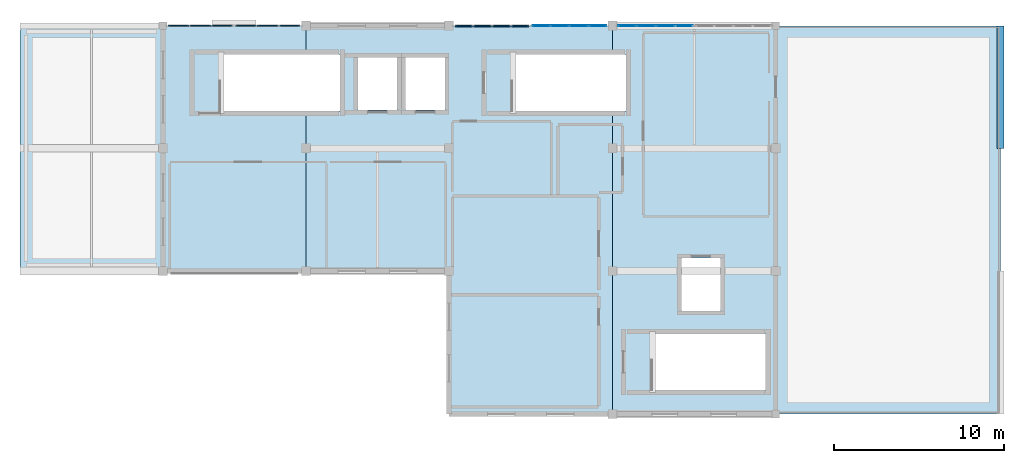
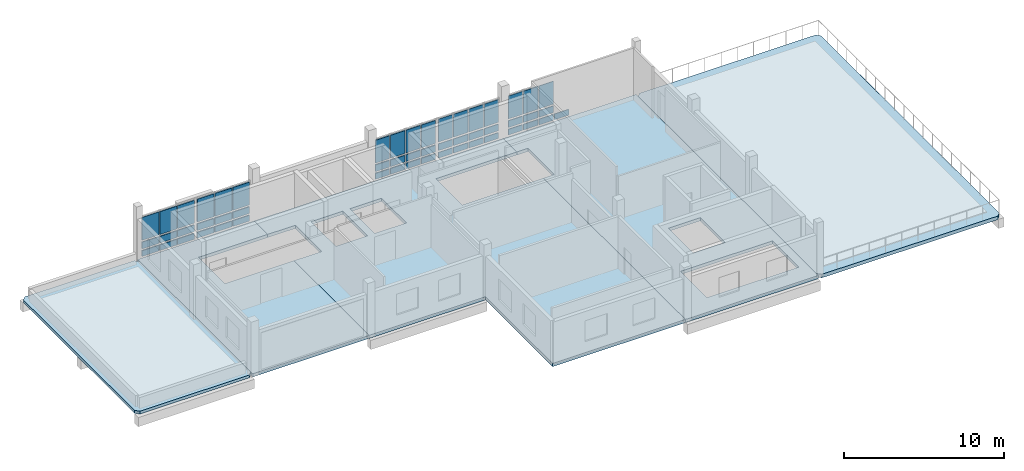
# One storey, part 7 of 11: 52 plates, 5 slabs, 1 beam, 5 elements without a shape of their own.
"""IFC4 building model written with IfcOpenShell, lengths in metres."""

from ifc_helpers import new_model, si_unit, direction, frame, origin, origin_2d, place, context, subcontext, project, spatial, polyline, rectangle, outline, extrude, material, layer, layer_set, material_profile, profile_set, type_object, element, aggregate, save


model = new_model("IFC4")

# Units and contexts
model_context = context("Model", 3, precision=1e-05, world=origin(), true_north=direction((0.0, 1.0)))
body_context = subcontext(model_context, "Body", "Model", "MODEL_VIEW")
ifc_project = project(units=[si_unit("LENGTHUNIT", "METRE"), si_unit("AREAUNIT", "SQUARE_METRE"), si_unit("VOLUMEUNIT", "CUBIC_METRE"), si_unit("PLANEANGLEUNIT", "RADIAN"), si_unit("MASSUNIT", "GRAM", prefix="KILO")], contexts=[model_context])

# Site, building, storey
site_placement = place(None, origin())
site = spatial("IfcSite", under=ifc_project, at=site_placement, CompositionType="ELEMENT")
building_placement = place(site_placement, origin())
building = spatial("IfcBuilding", under=site, at=building_placement, Name="Kisaragi Civic Commons", CompositionType="ELEMENT")
storey_placement = place(building_placement, frame((0.0, 0.0, 17.39990234375)))
storey = spatial("IfcBuildingStorey", under=building, at=storey_placement, Name="L04", CompositionType="ELEMENT", Elevation=17.39990234375)

# Beam
ifc_material_1 = material(Name="Concrete Fc30", Category="concrete")
ifc_material_profile = material_profile(ifc_material_1, rectangle(XDim=0.39990234375, YDim=0.699951171875, at=origin_2d()), Name="RC-400x700", Category="concrete")
ifc_profile_set = profile_set([ifc_material_profile], Name="Concrete Fc30")
beam_type = type_object("IfcBeamType", Name="G-16", PredefinedType="BEAM", material=ifc_profile_set)
beam_placement = place(storey_placement, frame((146.39990234375, 111.60009765625, -0.619873046875), z_axis=(0.0, 1.0, 0.0), x_axis=(-1.0, 0.0, 0.0)))
element("IfcBeam", 1, at=beam_placement, inside=storey, type_object=beam_type, Name="L04 girder G-16 347", PredefinedType="BEAM", context=body_context, shape_type="SweptSolid", body=[
    extrude(rectangle(XDim=0.39990234375, YDim=0.699951171875, at=origin_2d()), origin(), (0.0, 0.0, 1.0), 7.199951171875),
])

# Curtain wall, plates
ifc_material_2 = material(Name="Thermally broken anodized aluminium and low-E double glazing", Category="aluminium")
ifc_layer_1 = layer(ifc_material_2, 0.179931640625, Name="Thermally broken anodized aluminium and low-E double glazing", Category="aluminium")
ifc_layer_set_1 = layer_set([ifc_layer_1], Name="Thermally broken anodized aluminium and low-E double glazing")
curtain_wall_type = type_object("IfcCurtainWallType", Name="CW-01", PredefinedType="NOTDEFINED", material=ifc_layer_set_1)
curtain_wall_1_placement = place(storey_placement, origin())
curtain_wall_1 = element("IfcCurtainWall", 2, at=curtain_wall_1_placement, inside=storey, type_object=curtain_wall_type, Name="L04 curtain wall CW-01 CW-V4-L04-111", PredefinedType="NOTDEFINED")
ifc_layer_2 = layer(ifc_material_2, 0.073974609375, Name="Thermally broken anodized aluminium and low-E double glazing", Category="aluminium")
ifc_layer_set_2 = layer_set([ifc_layer_2], Name="Thermally broken anodized aluminium and low-E double glazing")
plate_type_1 = type_object("IfcPlateType", Name="CWP-09", PredefinedType="CURTAIN_PANEL", material=ifc_layer_set_2)
plate_1_placement = place(storey_placement, frame((98.10546875, 118.800048828125, 0.14013671875), z_axis=(0.0, 0.0, 1.0), x_axis=(1.0, 0.0, 0.0)))
plate_1 = element("IfcPlate", 3, at=plate_1_placement, type_object=plate_type_1, Name="CW-01 panel 1.1", PredefinedType="CURTAIN_PANEL", context=body_context, shape_type="SweptSolid", body=[
    extrude(rectangle(XDim=1.200927734375, YDim=0.073974609375, at=origin_2d()), origin(), (0.0, 0.0, 1.0), 0.43994140625),
])
plate_2_placement = place(storey_placement, frame((98.10546875, 118.800048828125, 0.72021484375), z_axis=(0.0, 0.0, 1.0), x_axis=(1.0, 0.0, 0.0)))
plate_2 = element("IfcPlate", 4, at=plate_2_placement, type_object=plate_type_1, Name="CW-01 panel 1.2", PredefinedType="CURTAIN_PANEL", context=body_context, shape_type="SweptSolid", body=[
    extrude(rectangle(XDim=1.200927734375, YDim=0.073974609375, at=origin_2d()), origin(), (0.0, 0.0, 1.0), 0.510009765625),
])
plate_3_placement = place(storey_placement, frame((98.10546875, 118.800048828125, 1.3701171875), z_axis=(0.0, 0.0, 1.0), x_axis=(1.0, 0.0, 0.0)))
plate_3 = element("IfcPlate", 5, at=plate_3_placement, type_object=plate_type_1, Name="CW-01 panel 1.3", PredefinedType="CURTAIN_PANEL", context=body_context, shape_type="SweptSolid", body=[
    extrude(rectangle(XDim=1.200927734375, YDim=0.073974609375, at=origin_2d()), origin(), (0.0, 0.0, 1.0), 1.7451171875),
])
plate_4_placement = place(storey_placement, frame((99.387451171875, 118.800048828125, 0.14013671875), z_axis=(0.0, 0.0, 1.0), x_axis=(1.0, 0.0, 0.0)))
plate_4 = element("IfcPlate", 6, at=plate_4_placement, type_object=plate_type_1, Name="CW-01 panel 2.1", PredefinedType="CURTAIN_PANEL", context=body_context, shape_type="SweptSolid", body=[
    extrude(rectangle(XDim=1.2333984375, YDim=0.073974609375, at=origin_2d()), origin(), (0.0, 0.0, 1.0), 0.43994140625),
])
plate_5_placement = place(storey_placement, frame((99.387451171875, 118.800048828125, 0.72021484375), z_axis=(0.0, 0.0, 1.0), x_axis=(1.0, 0.0, 0.0)))
plate_5 = element("IfcPlate", 7, at=plate_5_placement, type_object=plate_type_1, Name="CW-01 panel 2.2", PredefinedType="CURTAIN_PANEL", context=body_context, shape_type="SweptSolid", body=[
    extrude(rectangle(XDim=1.2333984375, YDim=0.073974609375, at=origin_2d()), origin(), (0.0, 0.0, 1.0), 0.510009765625),
])
plate_6_placement = place(storey_placement, frame((99.387451171875, 118.800048828125, 1.3701171875), z_axis=(0.0, 0.0, 1.0), x_axis=(1.0, 0.0, 0.0)))
plate_6 = element("IfcPlate", 8, at=plate_6_placement, type_object=plate_type_1, Name="CW-01 panel 2.3", PredefinedType="CURTAIN_PANEL", context=body_context, shape_type="SweptSolid", body=[
    extrude(rectangle(XDim=1.2333984375, YDim=0.073974609375, at=origin_2d()), origin(), (0.0, 0.0, 1.0), 1.7451171875),
])
plate_7_placement = place(storey_placement, frame((100.669677734375, 118.800048828125, 0.14013671875), z_axis=(0.0, 0.0, 1.0), x_axis=(1.0, 0.0, 0.0)))
plate_7 = element("IfcPlate", 9, at=plate_7_placement, type_object=plate_type_1, Name="CW-01 panel 3.1", PredefinedType="CURTAIN_PANEL", context=body_context, shape_type="SweptSolid", body=[
    extrude(rectangle(XDim=1.200927734375, YDim=0.073974609375, at=origin_2d()), origin(), (0.0, 0.0, 1.0), 0.43994140625),
])
plate_8_placement = place(storey_placement, frame((100.669677734375, 118.800048828125, 0.72021484375), z_axis=(0.0, 0.0, 1.0), x_axis=(1.0, 0.0, 0.0)))
plate_8 = element("IfcPlate", 10, at=plate_8_placement, type_object=plate_type_1, Name="CW-01 panel 3.2", PredefinedType="CURTAIN_PANEL", context=body_context, shape_type="SweptSolid", body=[
    extrude(rectangle(XDim=1.200927734375, YDim=0.073974609375, at=origin_2d()), origin(), (0.0, 0.0, 1.0), 0.510009765625),
])
plate_9_placement = place(storey_placement, frame((100.669677734375, 118.800048828125, 1.3701171875), z_axis=(0.0, 0.0, 1.0), x_axis=(1.0, 0.0, 0.0)))
plate_9 = element("IfcPlate", 11, at=plate_9_placement, type_object=plate_type_1, Name="CW-01 panel 3.3", PredefinedType="CURTAIN_PANEL", context=body_context, shape_type="SweptSolid", body=[
    extrude(rectangle(XDim=1.200927734375, YDim=0.073974609375, at=origin_2d()), origin(), (0.0, 0.0, 1.0), 1.7451171875),
])
aggregate(curtain_wall_1, [plate_1, plate_2, plate_3, plate_4, plate_5, plate_6, plate_7, plate_8, plate_9])

curtain_wall_2_placement = place(storey_placement, origin())
curtain_wall_2 = element("IfcCurtainWall", 12, at=curtain_wall_2_placement, inside=storey, type_object=curtain_wall_type, Name="L04 curtain wall CW-01 CW-V4-L04-112", PredefinedType="NOTDEFINED")
ifc_layer_3 = layer(ifc_material_2, 0.080078125, Name="Thermally broken anodized aluminium and low-E double glazing", Category="aluminium")
ifc_layer_set_3 = layer_set([ifc_layer_3], Name="Thermally broken anodized aluminium and low-E double glazing")
plate_type_2 = type_object("IfcPlateType", Name="CWP-10", PredefinedType="CURTAIN_PANEL", material=ifc_layer_set_3)
plate_10_placement = place(storey_placement, frame((102.080322265625, 118.800048828125, 0.14013671875), z_axis=(0.0, 0.0, 1.0), x_axis=(1.0, 0.0, 0.0)))
plate_10 = element("IfcPlate", 13, at=plate_10_placement, type_object=plate_type_2, Name="CW-01 panel 1.1", PredefinedType="CURTAIN_PANEL", context=body_context, shape_type="SweptSolid", body=[
    extrude(rectangle(XDim=1.200927734375, YDim=0.080078125, at=origin_2d()), origin(), (0.0, 0.0, 1.0), 0.43994140625),
])
plate_11_placement = place(storey_placement, frame((102.080322265625, 118.800048828125, 0.72021484375), z_axis=(0.0, 0.0, 1.0), x_axis=(1.0, 0.0, 0.0)))
plate_11 = element("IfcPlate", 14, at=plate_11_placement, type_object=plate_type_2, Name="CW-01 panel 1.2", PredefinedType="CURTAIN_PANEL", context=body_context, shape_type="SweptSolid", body=[
    extrude(rectangle(XDim=1.200927734375, YDim=0.080078125, at=origin_2d()), origin(), (0.0, 0.0, 1.0), 0.510009765625),
])
plate_12_placement = place(storey_placement, frame((102.080322265625, 118.800048828125, 1.3701171875), z_axis=(0.0, 0.0, 1.0), x_axis=(1.0, 0.0, 0.0)))
plate_12 = element("IfcPlate", 15, at=plate_12_placement, type_object=plate_type_2, Name="CW-01 panel 1.3", PredefinedType="CURTAIN_PANEL", context=body_context, shape_type="SweptSolid", body=[
    extrude(rectangle(XDim=1.200927734375, YDim=0.080078125, at=origin_2d()), origin(), (0.0, 0.0, 1.0), 1.7451171875),
])
plate_13_placement = place(storey_placement, frame((103.362548828125, 118.800048828125, 0.14013671875), z_axis=(0.0, 0.0, 1.0), x_axis=(1.0, 0.0, 0.0)))
plate_13 = element("IfcPlate", 16, at=plate_13_placement, type_object=plate_type_2, Name="CW-01 panel 2.1", PredefinedType="CURTAIN_PANEL", context=body_context, shape_type="SweptSolid", body=[
    extrude(rectangle(XDim=1.2333984375, YDim=0.080078125, at=origin_2d()), origin(), (0.0, 0.0, 1.0), 0.43994140625),
])
plate_14_placement = place(storey_placement, frame((103.362548828125, 118.800048828125, 0.72021484375), z_axis=(0.0, 0.0, 1.0), x_axis=(1.0, 0.0, 0.0)))
plate_14 = element("IfcPlate", 17, at=plate_14_placement, type_object=plate_type_2, Name="CW-01 panel 2.2", PredefinedType="CURTAIN_PANEL", context=body_context, shape_type="SweptSolid", body=[
    extrude(rectangle(XDim=1.2333984375, YDim=0.080078125, at=origin_2d()), origin(), (0.0, 0.0, 1.0), 0.510009765625),
])
plate_15_placement = place(storey_placement, frame((103.362548828125, 118.800048828125, 1.3701171875), z_axis=(0.0, 0.0, 1.0), x_axis=(1.0, 0.0, 0.0)))
plate_15 = element("IfcPlate", 18, at=plate_15_placement, type_object=plate_type_2, Name="CW-01 panel 2.3", PredefinedType="CURTAIN_PANEL", context=body_context, shape_type="SweptSolid", body=[
    extrude(rectangle(XDim=1.2333984375, YDim=0.080078125, at=origin_2d()), origin(), (0.0, 0.0, 1.0), 1.7451171875),
])
plate_16_placement = place(storey_placement, frame((104.64453125, 118.800048828125, 0.14013671875), z_axis=(0.0, 0.0, 1.0), x_axis=(1.0, 0.0, 0.0)))
plate_16 = element("IfcPlate", 19, at=plate_16_placement, type_object=plate_type_2, Name="CW-01 panel 3.1", PredefinedType="CURTAIN_PANEL", context=body_context, shape_type="SweptSolid", body=[
    extrude(rectangle(XDim=1.200927734375, YDim=0.080078125, at=origin_2d()), origin(), (0.0, 0.0, 1.0), 0.43994140625),
])
plate_17_placement = place(storey_placement, frame((104.64453125, 118.800048828125, 0.72021484375), z_axis=(0.0, 0.0, 1.0), x_axis=(1.0, 0.0, 0.0)))
plate_17 = element("IfcPlate", 20, at=plate_17_placement, type_object=plate_type_2, Name="CW-01 panel 3.2", PredefinedType="CURTAIN_PANEL", context=body_context, shape_type="SweptSolid", body=[
    extrude(rectangle(XDim=1.200927734375, YDim=0.080078125, at=origin_2d()), origin(), (0.0, 0.0, 1.0), 0.510009765625),
])
plate_18_placement = place(storey_placement, frame((104.64453125, 118.800048828125, 1.3701171875), z_axis=(0.0, 0.0, 1.0), x_axis=(1.0, 0.0, 0.0)))
plate_18 = element("IfcPlate", 21, at=plate_18_placement, type_object=plate_type_2, Name="CW-01 panel 3.3", PredefinedType="CURTAIN_PANEL", context=body_context, shape_type="SweptSolid", body=[
    extrude(rectangle(XDim=1.200927734375, YDim=0.080078125, at=origin_2d()), origin(), (0.0, 0.0, 1.0), 1.7451171875),
])
aggregate(curtain_wall_2, [plate_10, plate_11, plate_12, plate_13, plate_14, plate_15, plate_16, plate_17, plate_18])

curtain_wall_3_placement = place(storey_placement, origin())
curtain_wall_3 = element("IfcCurtainWall", 22, at=curtain_wall_3_placement, inside=storey, type_object=curtain_wall_type, Name="L04 curtain wall CW-01 CW-V4-L04-113", PredefinedType="NOTDEFINED")
ifc_layer_4 = layer(ifc_material_2, 0.0859375, Name="Thermally broken anodized aluminium and low-E double glazing", Category="aluminium")
ifc_layer_set_4 = layer_set([ifc_layer_4], Name="Thermally broken anodized aluminium and low-E double glazing")
plate_type_3 = type_object("IfcPlateType", Name="CWP-12", PredefinedType="CURTAIN_PANEL", material=ifc_layer_set_4)
plate_19_placement = place(storey_placement, frame((114.864990234375, 118.800048828125, 0.14013671875), z_axis=(0.0, 0.0, 1.0), x_axis=(1.0, 0.0, 0.0)))
plate_19 = element("IfcPlate", 23, at=plate_19_placement, type_object=plate_type_3, Name="CW-01 panel 1.1", PredefinedType="CURTAIN_PANEL", context=body_context, shape_type="SweptSolid", body=[
    extrude(rectangle(XDim=1.02001953125, YDim=0.0859375, at=origin_2d()), origin(), (0.0, 0.0, 1.0), 0.43994140625),
])
plate_20_placement = place(storey_placement, frame((114.864990234375, 118.800048828125, 0.72021484375), z_axis=(0.0, 0.0, 1.0), x_axis=(1.0, 0.0, 0.0)))
plate_20 = element("IfcPlate", 24, at=plate_20_placement, type_object=plate_type_3, Name="CW-01 panel 1.2", PredefinedType="CURTAIN_PANEL", context=body_context, shape_type="SweptSolid", body=[
    extrude(rectangle(XDim=1.02001953125, YDim=0.0859375, at=origin_2d()), origin(), (0.0, 0.0, 1.0), 0.510009765625),
])
plate_21_placement = place(storey_placement, frame((114.864990234375, 118.800048828125, 1.3701171875), z_axis=(0.0, 0.0, 1.0), x_axis=(1.0, 0.0, 0.0)))
plate_21 = element("IfcPlate", 25, at=plate_21_placement, type_object=plate_type_3, Name="CW-01 panel 1.3", PredefinedType="CURTAIN_PANEL", context=body_context, shape_type="SweptSolid", body=[
    extrude(rectangle(XDim=1.02001953125, YDim=0.0859375, at=origin_2d()), origin(), (0.0, 0.0, 1.0), 1.7451171875),
])
plate_22_placement = place(storey_placement, frame((115.96630859375, 118.800048828125, 0.14013671875), z_axis=(0.0, 0.0, 1.0), x_axis=(1.0, 0.0, 0.0)))
plate_22 = element("IfcPlate", 26, at=plate_22_placement, type_object=plate_type_3, Name="CW-01 panel 2.1", PredefinedType="CURTAIN_PANEL", context=body_context, shape_type="SweptSolid", body=[
    extrude(rectangle(XDim=1.052490234375, YDim=0.0859375, at=origin_2d()), origin(), (0.0, 0.0, 1.0), 0.43994140625),
])
plate_23_placement = place(storey_placement, frame((115.96630859375, 118.800048828125, 0.72021484375), z_axis=(0.0, 0.0, 1.0), x_axis=(1.0, 0.0, 0.0)))
plate_23 = element("IfcPlate", 27, at=plate_23_placement, type_object=plate_type_3, Name="CW-01 panel 2.2", PredefinedType="CURTAIN_PANEL", context=body_context, shape_type="SweptSolid", body=[
    extrude(rectangle(XDim=1.052490234375, YDim=0.0859375, at=origin_2d()), origin(), (0.0, 0.0, 1.0), 0.510009765625),
])
plate_24_placement = place(storey_placement, frame((115.96630859375, 118.800048828125, 1.3701171875), z_axis=(0.0, 0.0, 1.0), x_axis=(1.0, 0.0, 0.0)))
plate_24 = element("IfcPlate", 28, at=plate_24_placement, type_object=plate_type_3, Name="CW-01 panel 2.3", PredefinedType="CURTAIN_PANEL", context=body_context, shape_type="SweptSolid", body=[
    extrude(rectangle(XDim=1.052490234375, YDim=0.0859375, at=origin_2d()), origin(), (0.0, 0.0, 1.0), 1.7451171875),
])
plate_25_placement = place(storey_placement, frame((117.083740234375, 118.800048828125, 0.14013671875), z_axis=(0.0, 0.0, 1.0), x_axis=(1.0, 0.0, 0.0)))
plate_25 = element("IfcPlate", 29, at=plate_25_placement, type_object=plate_type_3, Name="CW-01 panel 3.1", PredefinedType="CURTAIN_PANEL", context=body_context, shape_type="SweptSolid", body=[
    extrude(rectangle(XDim=1.052490234375, YDim=0.0859375, at=origin_2d()), origin(), (0.0, 0.0, 1.0), 0.43994140625),
])
plate_26_placement = place(storey_placement, frame((117.083740234375, 118.800048828125, 0.72021484375), z_axis=(0.0, 0.0, 1.0), x_axis=(1.0, 0.0, 0.0)))
plate_26 = element("IfcPlate", 30, at=plate_26_placement, type_object=plate_type_3, Name="CW-01 panel 3.2", PredefinedType="CURTAIN_PANEL", context=body_context, shape_type="SweptSolid", body=[
    extrude(rectangle(XDim=1.052490234375, YDim=0.0859375, at=origin_2d()), origin(), (0.0, 0.0, 1.0), 0.510009765625),
])
plate_27_placement = place(storey_placement, frame((117.083740234375, 118.800048828125, 1.3701171875), z_axis=(0.0, 0.0, 1.0), x_axis=(1.0, 0.0, 0.0)))
plate_27 = element("IfcPlate", 31, at=plate_27_placement, type_object=plate_type_3, Name="CW-01 panel 3.3", PredefinedType="CURTAIN_PANEL", context=body_context, shape_type="SweptSolid", body=[
    extrude(rectangle(XDim=1.052490234375, YDim=0.0859375, at=origin_2d()), origin(), (0.0, 0.0, 1.0), 1.7451171875),
])
plate_28_placement = place(storey_placement, frame((118.18505859375, 118.800048828125, 0.14013671875), z_axis=(0.0, 0.0, 1.0), x_axis=(1.0, 0.0, 0.0)))
plate_28 = element("IfcPlate", 32, at=plate_28_placement, type_object=plate_type_3, Name="CW-01 panel 4.1", PredefinedType="CURTAIN_PANEL", context=body_context, shape_type="SweptSolid", body=[
    extrude(rectangle(XDim=1.02001953125, YDim=0.0859375, at=origin_2d()), origin(), (0.0, 0.0, 1.0), 0.43994140625),
])
plate_29_placement = place(storey_placement, frame((118.18505859375, 118.800048828125, 0.72021484375), z_axis=(0.0, 0.0, 1.0), x_axis=(1.0, 0.0, 0.0)))
plate_29 = element("IfcPlate", 33, at=plate_29_placement, type_object=plate_type_3, Name="CW-01 panel 4.2", PredefinedType="CURTAIN_PANEL", context=body_context, shape_type="SweptSolid", body=[
    extrude(rectangle(XDim=1.02001953125, YDim=0.0859375, at=origin_2d()), origin(), (0.0, 0.0, 1.0), 0.510009765625),
])
plate_30_placement = place(storey_placement, frame((118.18505859375, 118.800048828125, 1.3701171875), z_axis=(0.0, 0.0, 1.0), x_axis=(1.0, 0.0, 0.0)))
plate_30 = element("IfcPlate", 34, at=plate_30_placement, type_object=plate_type_3, Name="CW-01 panel 4.3", PredefinedType="CURTAIN_PANEL", context=body_context, shape_type="SweptSolid", body=[
    extrude(rectangle(XDim=1.02001953125, YDim=0.0859375, at=origin_2d()), origin(), (0.0, 0.0, 1.0), 1.7451171875),
])
aggregate(curtain_wall_3, [plate_19, plate_20, plate_21, plate_22, plate_23, plate_24, plate_25, plate_26, plate_27, plate_28, plate_29, plate_30])

curtain_wall_4_placement = place(storey_placement, origin())
curtain_wall_4 = element("IfcCurtainWall", 35, at=curtain_wall_4_placement, inside=storey, type_object=curtain_wall_type, Name="L04 curtain wall CW-01 CW-V4-L04-114", PredefinedType="NOTDEFINED")
ifc_layer_5 = layer(ifc_material_2, 0.0458984375, Name="Thermally broken anodized aluminium and low-E double glazing", Category="aluminium")
ifc_layer_set_5 = layer_set([ifc_layer_5], Name="Thermally broken anodized aluminium and low-E double glazing")
plate_type_4 = type_object("IfcPlateType", Name="CWP-13", PredefinedType="CURTAIN_PANEL", material=ifc_layer_set_5)
plate_31_placement = place(storey_placement, frame((119.4150390625, 118.800048828125, 0.14013671875), z_axis=(0.0, 0.0, 1.0), x_axis=(1.0, 0.0, 0.0)))
plate_31 = element("IfcPlate", 36, at=plate_31_placement, type_object=plate_type_4, Name="CW-01 panel 1.1", PredefinedType="CURTAIN_PANEL", context=body_context, shape_type="SweptSolid", body=[
    extrude(rectangle(XDim=1.02001953125, YDim=0.0458984375, at=origin_2d()), origin(), (0.0, 0.0, 1.0), 0.43994140625),
])
plate_32_placement = place(storey_placement, frame((119.4150390625, 118.800048828125, 0.72021484375), z_axis=(0.0, 0.0, 1.0), x_axis=(1.0, 0.0, 0.0)))
plate_32 = element("IfcPlate", 37, at=plate_32_placement, type_object=plate_type_4, Name="CW-01 panel 1.2", PredefinedType="CURTAIN_PANEL", context=body_context, shape_type="SweptSolid", body=[
    extrude(rectangle(XDim=1.02001953125, YDim=0.0458984375, at=origin_2d()), origin(), (0.0, 0.0, 1.0), 0.510009765625),
])
plate_33_placement = place(storey_placement, frame((119.4150390625, 118.800048828125, 1.3701171875), z_axis=(0.0, 0.0, 1.0), x_axis=(1.0, 0.0, 0.0)))
plate_33 = element("IfcPlate", 38, at=plate_33_placement, type_object=plate_type_4, Name="CW-01 panel 1.3", PredefinedType="CURTAIN_PANEL", context=body_context, shape_type="SweptSolid", body=[
    extrude(rectangle(XDim=1.02001953125, YDim=0.0458984375, at=origin_2d()), origin(), (0.0, 0.0, 1.0), 1.7451171875),
])
plate_34_placement = place(storey_placement, frame((120.516357421875, 118.800048828125, 0.14013671875), z_axis=(0.0, 0.0, 1.0), x_axis=(1.0, 0.0, 0.0)))
plate_34 = element("IfcPlate", 39, at=plate_34_placement, type_object=plate_type_4, Name="CW-01 panel 2.1", PredefinedType="CURTAIN_PANEL", context=body_context, shape_type="SweptSolid", body=[
    extrude(rectangle(XDim=1.052490234375, YDim=0.0458984375, at=origin_2d()), origin(), (0.0, 0.0, 1.0), 0.43994140625),
])
plate_35_placement = place(storey_placement, frame((120.516357421875, 118.800048828125, 0.72021484375), z_axis=(0.0, 0.0, 1.0), x_axis=(1.0, 0.0, 0.0)))
plate_35 = element("IfcPlate", 40, at=plate_35_placement, type_object=plate_type_4, Name="CW-01 panel 2.2", PredefinedType="CURTAIN_PANEL", context=body_context, shape_type="SweptSolid", body=[
    extrude(rectangle(XDim=1.052490234375, YDim=0.0458984375, at=origin_2d()), origin(), (0.0, 0.0, 1.0), 0.510009765625),
])
plate_36_placement = place(storey_placement, frame((120.516357421875, 118.800048828125, 1.3701171875), z_axis=(0.0, 0.0, 1.0), x_axis=(1.0, 0.0, 0.0)))
plate_36 = element("IfcPlate", 41, at=plate_36_placement, type_object=plate_type_4, Name="CW-01 panel 2.3", PredefinedType="CURTAIN_PANEL", context=body_context, shape_type="SweptSolid", body=[
    extrude(rectangle(XDim=1.052490234375, YDim=0.0458984375, at=origin_2d()), origin(), (0.0, 0.0, 1.0), 1.7451171875),
])
plate_37_placement = place(storey_placement, frame((121.6337890625, 118.800048828125, 0.14013671875), z_axis=(0.0, 0.0, 1.0), x_axis=(1.0, 0.0, 0.0)))
plate_37 = element("IfcPlate", 42, at=plate_37_placement, type_object=plate_type_4, Name="CW-01 panel 3.1", PredefinedType="CURTAIN_PANEL", context=body_context, shape_type="SweptSolid", body=[
    extrude(rectangle(XDim=1.052490234375, YDim=0.0458984375, at=origin_2d()), origin(), (0.0, 0.0, 1.0), 0.43994140625),
])
plate_38_placement = place(storey_placement, frame((121.6337890625, 118.800048828125, 0.72021484375), z_axis=(0.0, 0.0, 1.0), x_axis=(1.0, 0.0, 0.0)))
plate_38 = element("IfcPlate", 43, at=plate_38_placement, type_object=plate_type_4, Name="CW-01 panel 3.2", PredefinedType="CURTAIN_PANEL", context=body_context, shape_type="SweptSolid", body=[
    extrude(rectangle(XDim=1.052490234375, YDim=0.0458984375, at=origin_2d()), origin(), (0.0, 0.0, 1.0), 0.510009765625),
])
plate_39_placement = place(storey_placement, frame((121.6337890625, 118.800048828125, 1.3701171875), z_axis=(0.0, 0.0, 1.0), x_axis=(1.0, 0.0, 0.0)))
plate_39 = element("IfcPlate", 44, at=plate_39_placement, type_object=plate_type_4, Name="CW-01 panel 3.3", PredefinedType="CURTAIN_PANEL", context=body_context, shape_type="SweptSolid", body=[
    extrude(rectangle(XDim=1.052490234375, YDim=0.0458984375, at=origin_2d()), origin(), (0.0, 0.0, 1.0), 1.7451171875),
])
plate_40_placement = place(storey_placement, frame((122.735107421875, 118.800048828125, 0.14013671875), z_axis=(0.0, 0.0, 1.0), x_axis=(1.0, 0.0, 0.0)))
plate_40 = element("IfcPlate", 45, at=plate_40_placement, type_object=plate_type_4, Name="CW-01 panel 4.1", PredefinedType="CURTAIN_PANEL", context=body_context, shape_type="SweptSolid", body=[
    extrude(rectangle(XDim=1.02001953125, YDim=0.0458984375, at=origin_2d()), origin(), (0.0, 0.0, 1.0), 0.43994140625),
])
plate_41_placement = place(storey_placement, frame((122.735107421875, 118.800048828125, 0.72021484375), z_axis=(0.0, 0.0, 1.0), x_axis=(1.0, 0.0, 0.0)))
plate_41 = element("IfcPlate", 46, at=plate_41_placement, type_object=plate_type_4, Name="CW-01 panel 4.2", PredefinedType="CURTAIN_PANEL", context=body_context, shape_type="SweptSolid", body=[
    extrude(rectangle(XDim=1.02001953125, YDim=0.0458984375, at=origin_2d()), origin(), (0.0, 0.0, 1.0), 0.510009765625),
])
plate_42_placement = place(storey_placement, frame((122.735107421875, 118.800048828125, 1.3701171875), z_axis=(0.0, 0.0, 1.0), x_axis=(1.0, 0.0, 0.0)))
plate_42 = element("IfcPlate", 47, at=plate_42_placement, type_object=plate_type_4, Name="CW-01 panel 4.3", PredefinedType="CURTAIN_PANEL", context=body_context, shape_type="SweptSolid", body=[
    extrude(rectangle(XDim=1.02001953125, YDim=0.0458984375, at=origin_2d()), origin(), (0.0, 0.0, 1.0), 1.7451171875),
])
aggregate(curtain_wall_4, [plate_31, plate_32, plate_33, plate_34, plate_35, plate_36, plate_37, plate_38, plate_39, plate_40, plate_41, plate_42])

curtain_wall_5_placement = place(storey_placement, origin())
curtain_wall_5 = element("IfcCurtainWall", 48, at=curtain_wall_5_placement, inside=storey, type_object=curtain_wall_type, Name="L04 curtain wall CW-01 CW-V4-L04-115", PredefinedType="NOTDEFINED")
ifc_layer_6 = layer(ifc_material_2, 0.050048828125, Name="Thermally broken anodized aluminium and low-E double glazing", Category="aluminium")
ifc_layer_set_6 = layer_set([ifc_layer_6], Name="Thermally broken anodized aluminium and low-E double glazing")
plate_type_5 = type_object("IfcPlateType", Name="CWP-14", PredefinedType="CURTAIN_PANEL", material=ifc_layer_set_6)
plate_43_placement = place(storey_placement, frame((124.468017578125, 118.800048828125, 0.14013671875), z_axis=(0.0, 0.0, 1.0), x_axis=(1.0, 0.0, 0.0)))
plate_43 = element("IfcPlate", 49, at=plate_43_placement, type_object=plate_type_5, Name="CW-01 panel 1.1", PredefinedType="CURTAIN_PANEL", context=body_context, shape_type="SweptSolid", body=[
    extrude(rectangle(XDim=1.0263671875, YDim=0.050048828125, at=origin_2d()), origin(), (0.0, 0.0, 1.0), 0.43994140625),
])
plate_44_placement = place(storey_placement, frame((124.468017578125, 118.800048828125, 0.72021484375), z_axis=(0.0, 0.0, 1.0), x_axis=(1.0, 0.0, 0.0)))
plate_44 = element("IfcPlate", 50, at=plate_44_placement, type_object=plate_type_5, Name="CW-01 panel 1.2", PredefinedType="CURTAIN_PANEL", context=body_context, shape_type="SweptSolid", body=[
    extrude(rectangle(XDim=1.0263671875, YDim=0.050048828125, at=origin_2d()), origin(), (0.0, 0.0, 1.0), 0.510009765625),
])
plate_45_placement = place(storey_placement, frame((124.468017578125, 118.800048828125, 1.3701171875), z_axis=(0.0, 0.0, 1.0), x_axis=(1.0, 0.0, 0.0)))
plate_45 = element("IfcPlate", 51, at=plate_45_placement, type_object=plate_type_5, Name="CW-01 panel 1.3", PredefinedType="CURTAIN_PANEL", context=body_context, shape_type="SweptSolid", body=[
    extrude(rectangle(XDim=1.0263671875, YDim=0.050048828125, at=origin_2d()), origin(), (0.0, 0.0, 1.0), 1.7451171875),
])
plate_46_placement = place(storey_placement, frame((125.57568359375, 118.800048828125, 0.14013671875), z_axis=(0.0, 0.0, 1.0), x_axis=(1.0, 0.0, 0.0)))
plate_46 = element("IfcPlate", 52, at=plate_46_placement, type_object=plate_type_5, Name="CW-01 panel 2.1", PredefinedType="CURTAIN_PANEL", context=body_context, shape_type="SweptSolid", body=[
    extrude(rectangle(XDim=1.058837890625, YDim=0.050048828125, at=origin_2d()), origin(), (0.0, 0.0, 1.0), 0.43994140625),
])
plate_47_placement = place(storey_placement, frame((125.57568359375, 118.800048828125, 0.72021484375), z_axis=(0.0, 0.0, 1.0), x_axis=(1.0, 0.0, 0.0)))
plate_47 = element("IfcPlate", 53, at=plate_47_placement, type_object=plate_type_5, Name="CW-01 panel 2.2", PredefinedType="CURTAIN_PANEL", context=body_context, shape_type="SweptSolid", body=[
    extrude(rectangle(XDim=1.058837890625, YDim=0.050048828125, at=origin_2d()), origin(), (0.0, 0.0, 1.0), 0.510009765625),
])
plate_48_placement = place(storey_placement, frame((125.57568359375, 118.800048828125, 1.3701171875), z_axis=(0.0, 0.0, 1.0), x_axis=(1.0, 0.0, 0.0)))
plate_48 = element("IfcPlate", 54, at=plate_48_placement, type_object=plate_type_5, Name="CW-01 panel 2.3", PredefinedType="CURTAIN_PANEL", context=body_context, shape_type="SweptSolid", body=[
    extrude(rectangle(XDim=1.058837890625, YDim=0.050048828125, at=origin_2d()), origin(), (0.0, 0.0, 1.0), 1.7451171875),
])
plate_49_placement = place(storey_placement, frame((126.699462890625, 118.800048828125, 0.14013671875), z_axis=(0.0, 0.0, 1.0), x_axis=(1.0, 0.0, 0.0)))
plate_49 = element("IfcPlate", 55, at=plate_49_placement, type_object=plate_type_5, Name="CW-01 panel 3.1", PredefinedType="CURTAIN_PANEL", context=body_context, shape_type="SweptSolid", body=[
    extrude(rectangle(XDim=1.058837890625, YDim=0.050048828125, at=origin_2d()), origin(), (0.0, 0.0, 1.0), 0.43994140625),
])
plate_50_placement = place(storey_placement, frame((126.699462890625, 118.800048828125, 0.72021484375), z_axis=(0.0, 0.0, 1.0), x_axis=(1.0, 0.0, 0.0)))
plate_50 = element("IfcPlate", 56, at=plate_50_placement, type_object=plate_type_5, Name="CW-01 panel 3.2", PredefinedType="CURTAIN_PANEL", context=body_context, shape_type="SweptSolid", body=[
    extrude(rectangle(XDim=1.058837890625, YDim=0.050048828125, at=origin_2d()), origin(), (0.0, 0.0, 1.0), 0.510009765625),
])
plate_51_placement = place(storey_placement, frame((126.699462890625, 118.800048828125, 1.3701171875), z_axis=(0.0, 0.0, 1.0), x_axis=(1.0, 0.0, 0.0)))
plate_51 = element("IfcPlate", 57, at=plate_51_placement, type_object=plate_type_5, Name="CW-01 panel 3.3", PredefinedType="CURTAIN_PANEL", context=body_context, shape_type="SweptSolid", body=[
    extrude(rectangle(XDim=1.058837890625, YDim=0.050048828125, at=origin_2d()), origin(), (0.0, 0.0, 1.0), 1.7451171875),
])
plate_52_placement = place(storey_placement, frame((127.806884765625, 118.800048828125, 0.14013671875), z_axis=(0.0, 0.0, 1.0), x_axis=(1.0, 0.0, 0.0)))
plate_52 = element("IfcPlate", 58, at=plate_52_placement, type_object=plate_type_5, Name="CW-01 panel 4.1", PredefinedType="CURTAIN_PANEL", context=body_context, shape_type="SweptSolid", body=[
    extrude(rectangle(XDim=1.0263671875, YDim=0.050048828125, at=origin_2d()), origin(), (0.0, 0.0, 1.0), 0.43994140625),
])
aggregate(curtain_wall_5, [plate_43, plate_44, plate_45, plate_46, plate_47, plate_48, plate_49, plate_50, plate_51, plate_52])

# Slabs
ifc_layer_7 = layer(ifc_material_1, 0.239990234375, Name="Concrete Fc30", Category="concrete")
ifc_layer_set_7 = layer_set([ifc_layer_7], Name="Concrete Fc30")
slab_type_1 = type_object("IfcSlabType", Name="SL-F4", PredefinedType="FLOOR", material=ifc_layer_set_7)
slab_1_placement = place(storey_placement, frame((0.0, 0.0, -0.239990234375)))
element("IfcSlab", 59, at=slab_1_placement, inside=storey, type_object=slab_type_1, Name="V4 L04 slab SL-F4 53", PredefinedType="FLOOR", context=body_context, shape_type="SweptSolid", body=[
    extrude(outline(polyline([(97.199951171875, 118.800048828125), (97.199951171875, 104.39990234375), (105.60009765625, 104.39990234375), (105.60009765625, 113.800048828125), (100.60009765625, 113.800048828125), (100.60009765625, 117.10009765625), (105.60009765625, 117.10009765625), (105.60009765625, 118.800048828125), (97.199951171875, 118.800048828125)])), origin(), (0.0, 0.0, 1.0), 0.239990234375),
])
slab_2_placement = place(storey_placement, frame((0.0, 0.0, -0.239990234375)))
element("IfcSlab", 60, at=slab_2_placement, inside=storey, type_object=slab_type_1, Name="V4 L04 slab SL-F4 54", PredefinedType="FLOOR", context=body_context, shape_type="SweptSolid", body=[
    extrude(outline(polyline([(105.60009765625, 118.800048828125), (105.60009765625, 117.10009765625), (107.60009765625, 117.10009765625), (107.60009765625, 113.800048828125), (105.60009765625, 113.800048828125), (105.60009765625, 104.39990234375), (114.0, 104.39990234375), (114.0, 96.0), (123.60009765625, 96.0), (123.60009765625, 113.800048828125), (117.75, 113.800048828125), (117.75, 117.10009765625), (123.60009765625, 117.10009765625), (123.60009765625, 118.800048828125), (105.60009765625, 118.800048828125)]), holes=[polyline([(108.64990234375, 116.949951171875), (108.64990234375, 113.85009765625), (110.949951171875, 113.85009765625), (110.949951171875, 116.949951171875), (108.64990234375, 116.949951171875)]), polyline([(111.449951171875, 113.85009765625), (113.75, 113.85009765625), (113.75, 116.949951171875), (111.449951171875, 116.949951171875), (111.449951171875, 113.85009765625)])]), origin(), (0.0, 0.0, 1.0), 0.239990234375),
])
slab_3_placement = place(storey_placement, frame((0.0, 0.0, -0.239990234375)))
element("IfcSlab", 61, at=slab_3_placement, inside=storey, type_object=slab_type_1, Name="V4 L04 slab SL-F4 55", PredefinedType="FLOOR", context=body_context, shape_type="SweptSolid", body=[
    extrude(outline(polyline([(123.60009765625, 118.800048828125), (123.60009765625, 117.10009765625), (124.39990234375, 117.10009765625), (124.39990234375, 113.800048828125), (123.60009765625, 113.800048828125), (123.60009765625, 96.0), (133.199951171875, 96.0), (133.199951171875, 118.800048828125), (123.60009765625, 118.800048828125)]), holes=[polyline([(125.949951171875, 97.39990234375), (132.60009765625, 97.39990234375), (132.60009765625, 100.699951171875), (125.949951171875, 100.699951171875), (125.949951171875, 97.39990234375)]), polyline([(127.64990234375, 105.14990234375), (127.64990234375, 102.050048828125), (129.949951171875, 102.050048828125), (129.949951171875, 105.14990234375), (127.64990234375, 105.14990234375)])]), origin(), (0.0, 0.0, 1.0), 0.239990234375),
])
ifc_layer_8 = layer(ifc_material_1, 0.219970703125, Name="Concrete Fc30", Category="concrete")
ifc_layer_set_8 = layer_set([ifc_layer_8], Name="Concrete Fc30")
slab_type_2 = type_object("IfcSlabType", Name="SL-RF1", PredefinedType="ROOF", material=ifc_layer_set_8)
slab_4_placement = place(storey_placement, frame((0.0, 0.0, -0.219970703125)))
element("IfcSlab", 62, at=slab_4_placement, inside=storey, type_object=slab_type_2, Name="Learning Wing L04 setback roof slab 1", PredefinedType="ROOF", context=body_context, shape_type="SweptSolid", body=[
    extrude(outline(polyline([(89.050048828125, 104.39990234375), (96.949951171875, 104.39990234375), (97.199951171875, 104.64990234375), (97.199951171875, 118.550048828125), (96.949951171875, 118.800048828125), (89.050048828125, 118.800048828125), (88.800048828125, 118.550048828125), (88.800048828125, 104.64990234375), (89.050048828125, 104.39990234375)])), origin(), (0.0, 0.0, 1.0), 0.219970703125),
])
ifc_layer_9 = layer(ifc_material_1, 0.27001953125, Name="Concrete Fc30", Category="concrete")
ifc_layer_set_9 = layer_set([ifc_layer_9], Name="Concrete Fc30")
slab_type_3 = type_object("IfcSlabType", Name="SL-TR3", PredefinedType="FLOOR", material=ifc_layer_set_9)
slab_5_placement = place(storey_placement, frame((0.0, 0.0, -0.27001953125)))
element("IfcSlab", 63, at=slab_5_placement, inside=storey, type_object=slab_type_3, Name="V4 L04 planted roof terrace slab 58", PredefinedType="FLOOR", context=body_context, shape_type="SweptSolid", body=[
    extrude(outline(polyline([(133.449951171875, 96.0), (146.14990234375, 96.0), (146.39990234375, 96.25), (146.39990234375, 118.550048828125), (146.14990234375, 118.800048828125), (133.449951171875, 118.800048828125), (133.199951171875, 118.550048828125), (133.199951171875, 96.25), (133.449951171875, 96.0)])), origin(), (0.0, 0.0, 1.0), 0.27001953125),
])

save(model, "model.ifc")
